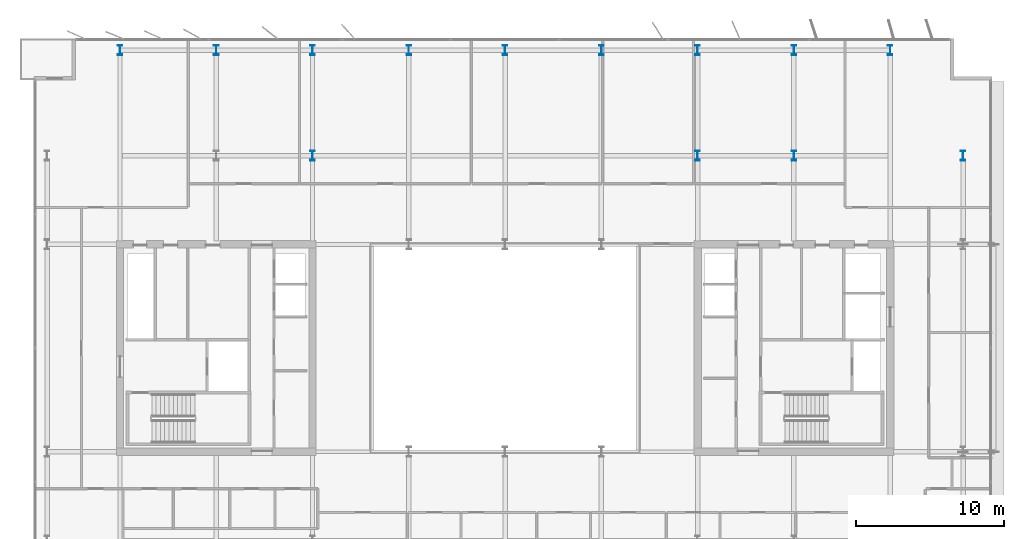
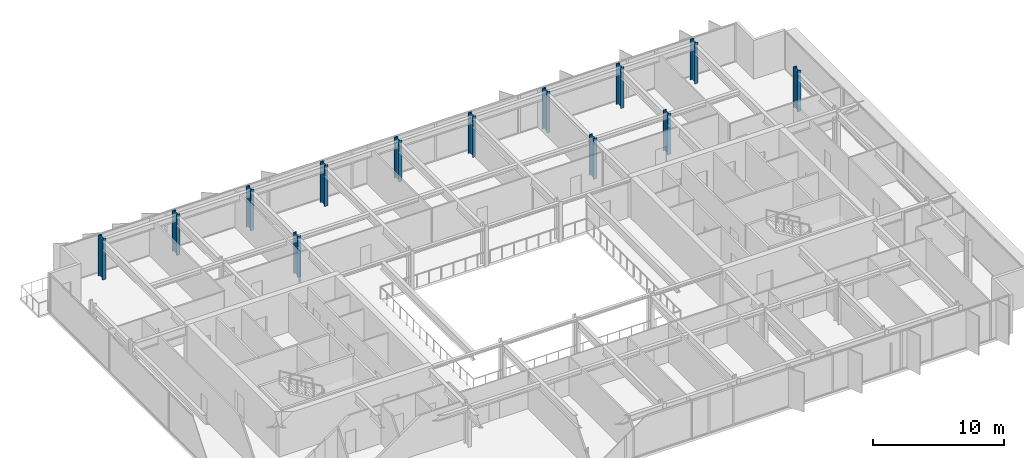
# One storey, part 3 of 20: 13 columns.
"""IFC4 building model written with IfcOpenShell, lengths in metres."""

from ifc_helpers import new_model, si_unit, direction, frame, origin, origin_2d, place, context, subcontext, project, spatial, i_section, extrude, material, material_profile, profile_set, type_object, element, save


model = new_model("IFC4")

# Units and contexts
model_context = context("Model", 3, precision=1e-05, world=origin(), true_north=direction((0.0, 1.0)))
body_context = subcontext(model_context, "Body", "Model", "MODEL_VIEW")
ifc_project = project(units=[si_unit("LENGTHUNIT", "METRE"), si_unit("AREAUNIT", "SQUARE_METRE"), si_unit("VOLUMEUNIT", "CUBIC_METRE"), si_unit("PLANEANGLEUNIT", "RADIAN"), si_unit("MASSUNIT", "GRAM", prefix="KILO")], contexts=[model_context])

# Site, building, storey
site_placement = place(None, origin())
site = spatial("IfcSite", under=ifc_project, at=site_placement, CompositionType="ELEMENT")
building_placement = place(site_placement, origin())
building = spatial("IfcBuilding", under=site, at=building_placement, Name="Putna Gate Headquarters", CompositionType="ELEMENT")
storey_placement = place(building_placement, frame((0.0, 0.0, 274.60009765625)))
storey = spatial("IfcBuildingStorey", under=building, at=storey_placement, Name="L69", CompositionType="ELEMENT", Elevation=274.60009765625)

# Columns
ifc_material = material(Name="Steel S460M", Category="steel")
ifc_material_profile_1 = material_profile(ifc_material, i_section(OverallWidth=0.304931640625, OverallDepth=0.66796875, WebThickness=0.02099609375, FlangeThickness=0.0400390625, at=origin_2d()), Name="Steel S460M")
ifc_profile_set_1 = profile_set([ifc_material_profile_1], Name="Steel S460M")
column_type_1 = type_object("IfcColumnType", Name="COL-STL-HEM650-EXT", PredefinedType="COLUMN", material=ifc_profile_set_1)
for number, where, z_axis, x_axis, name in (
    (1, (13.0, 46.1201171875, 0.0), (0.0, 0.0, 1.0), (1.0, 0.0, 0.0), "L69 Column CP-N13"),
    (2, (19.5, 46.1201171875, 0.0), (0.0, 0.0, 1.0), (1.0, 0.0, 0.0), "L69 Column CP-N19"),
    (3, (26.0, 46.1201171875, 0.0), (0.0, 0.0, 1.0), (1.0, 0.0, 0.0), "L69 Column CP-N26"),
    (4, (32.5, 46.1201171875, 0.0), (0.0, 0.0, 1.0), (1.0, 0.0, 0.0), "L69 Column CP-N32"),
    (5, (39.0, 46.1201171875, 0.0), (0.0, 0.0, 1.0), (1.0, 0.0, 0.0), "L69 Column CP-N39"),
    (6, (45.5, 46.1201171875, 0.0), (0.0, 0.0, 1.0), (1.0, 0.0, 0.0), "L69 Column CP-N45"),
    (7, (52.0, 46.1201171875, 0.0), (0.0, 0.0, 1.0), (1.0, 0.0, 0.0), "L69 Column CP-N52"),
    (8, (58.5, 46.1201171875, 0.0), (0.0, 0.0, 1.0), (1.0, 0.0, 0.0), "L69 Column CP-N58"),
    (9, (65.0, 46.1201171875, 0.0), (0.0, 0.0, 1.0), (1.0, 0.0, 0.0), "L69 Column CP-N65"),
    (10, (69.919921875, 39.0, 0.0), (0.0, 0.0, 1.0), (1.0, 0.0, 0.0), "L69 Column CP-E39"),
):
    element("IfcColumn", number, at=place(storey_placement, frame(where, z_axis=z_axis, x_axis=x_axis)), inside=storey, type_object=column_type_1, Name=name, PredefinedType="COLUMN", context=body_context, shape_type="SweptSolid", body=[
        extrude(i_section(OverallWidth=0.304931640625, OverallDepth=0.66796875, WebThickness=0.02099609375, FlangeThickness=0.0400390625, at=origin_2d()), origin(), (0.0, 0.0, 1.0), 3.7998046875),
    ])
ifc_material_profile_2 = material_profile(ifc_material, i_section(OverallWidth=0.304931640625, OverallDepth=0.66796875, WebThickness=0.02099609375, FlangeThickness=0.0400390625, at=origin_2d()), Name="Steel S460M")
ifc_profile_set_2 = profile_set([ifc_material_profile_2], Name="Steel S460M")
column_type_2 = type_object("IfcColumnType", Name="COL-STL-HEM650-INT", PredefinedType="COLUMN", material=ifc_profile_set_2)
for number, where, z_axis, x_axis, name in (
    (11, (58.5, 39.0, 0.0), (0.0, 0.0, 1.0), (1.0, 0.0, 0.0), "L69 Column CSI-EN"),
    (12, (26.0, 39.0, 0.0), (0.0, 0.0, 1.0), (1.0, 0.0, 0.0), "L69 Column CAP-WN"),
    (13, (52.0, 39.0, 0.0), (0.0, 0.0, 1.0), (1.0, 0.0, 0.0), "L69 Column CAP-EN"),
):
    element("IfcColumn", number, at=place(storey_placement, frame(where, z_axis=z_axis, x_axis=x_axis)), inside=storey, type_object=column_type_2, Name=name, PredefinedType="COLUMN", context=body_context, shape_type="SweptSolid", body=[
        extrude(i_section(OverallWidth=0.304931640625, OverallDepth=0.66796875, WebThickness=0.02099609375, FlangeThickness=0.0400390625, at=origin_2d()), origin(), (0.0, 0.0, 1.0), 3.7998046875),
    ])

save(model, "model.ifc")
